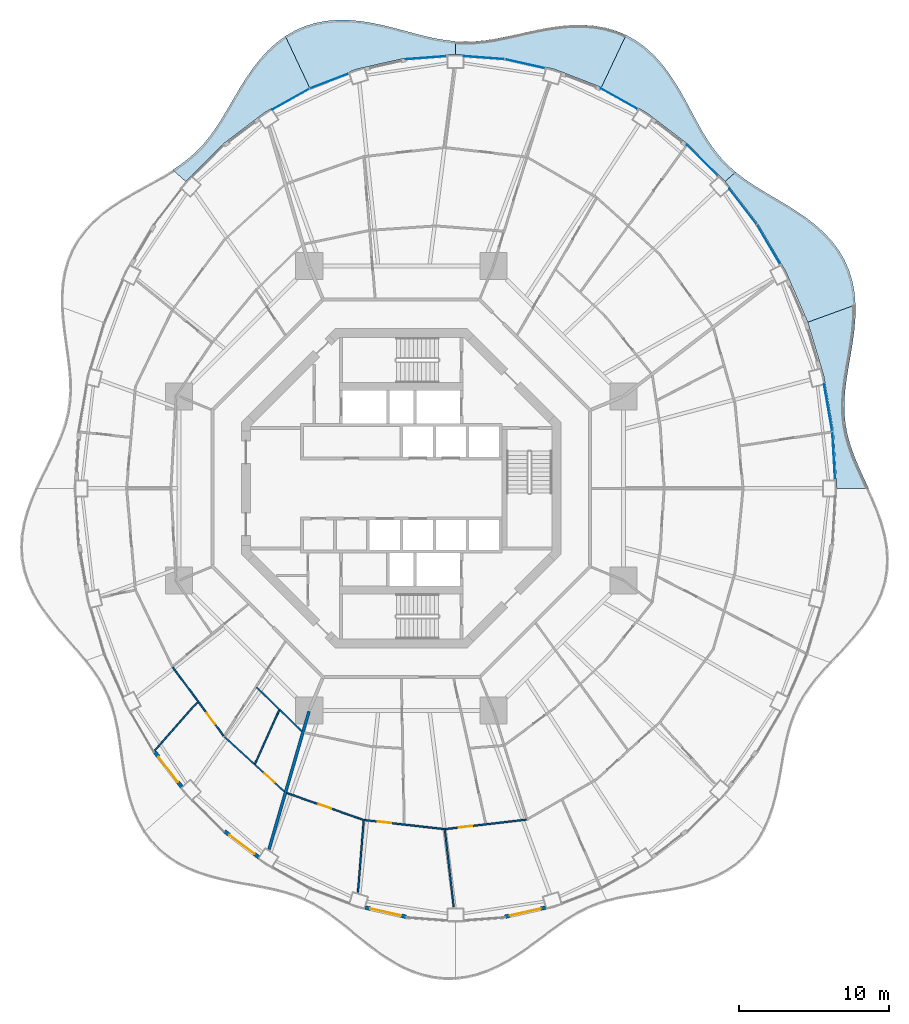
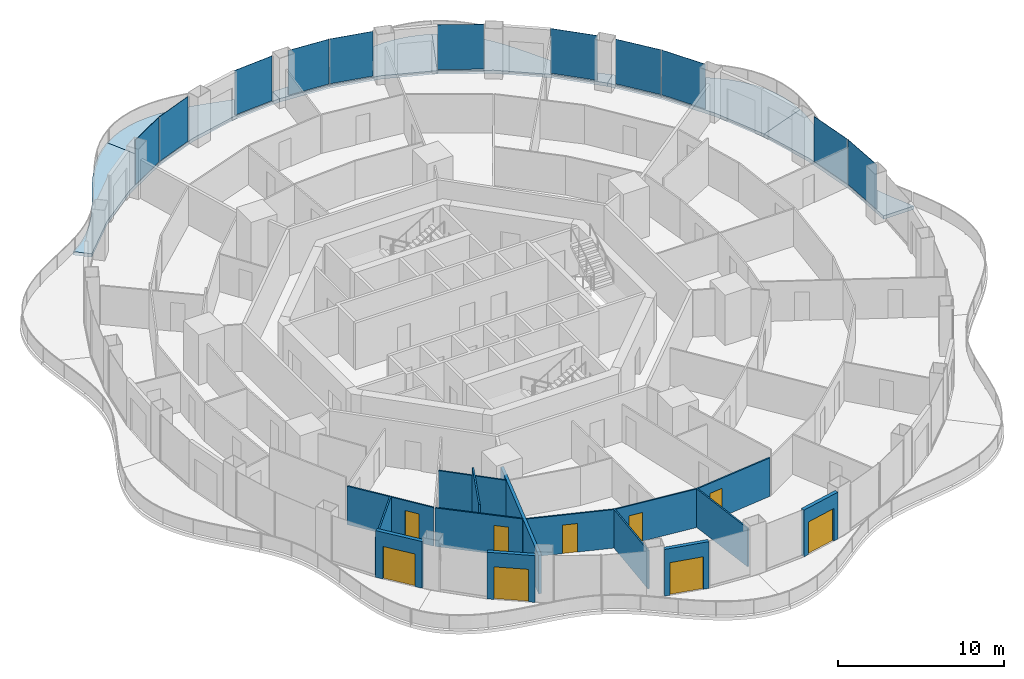
# One storey, part 10 of 19: 15 walls, 11 plates, 9 doors, 6 slabs, 9 openings, 11 elements without a shape of their own.
"""IFC4 building model written with IfcOpenShell, lengths in metres."""

import ifcopenshell
import ifcopenshell.guid

model = None  # the IFC model being written
_history = None  # IfcOwnerHistory: only IFC2X3 demands one
_inside = {}  # id of a spatial element -> (the spatial element, [elements in it])
_under = {}  # id of a project, library or spatial element -> (it, [spatial elements below it])
_declared = {}  # id of a project -> (the project, [libraries it declares])
_typed = {}  # id of a type object -> (the type object, [elements of that type])
_made_of = {}  # id of a material, layer set ... -> (it, [elements and type objects made of it])


def new_model(schema):
    """Start an empty IFC model of exactly this schema.

    Asked for "IFC4X3", IfcOpenShell would pick the latest addendum, in which some entities
    have other attributes; the version numbers below select the first issue.
    IFC2X3 requires an IfcOwnerHistory on every rooted entity: one is made here for all.
    """
    global model, _history
    if schema == "IFC4X3":
        model = ifcopenshell.file(schema_version=(4, 3, 0, 0))
    else:
        model = ifcopenshell.file(schema=schema)
    _inside.clear()
    _under.clear()
    _declared.clear()
    _typed.clear()
    _made_of.clear()
    _history = None
    if model.schema == "IFC2X3":
        org = make("IfcOrganization", Name="unknown")
        user = make(
            "IfcPersonAndOrganization",
            ThePerson=make("IfcPerson", FamilyName="unknown"),
            TheOrganization=org,
        )
        app = make(
            "IfcApplication",
            ApplicationDeveloper=org,
            Version="unknown",
            ApplicationFullName="unknown",
            ApplicationIdentifier="unknown",
        )
        _history = make(
            "IfcOwnerHistory",
            OwningUser=user,
            OwningApplication=app,
            ChangeAction="ADDED",
            CreationDate=0,
        )
    return model


def make(cls, **values):
    """One entity of the class cls with the attributes given. An attribute that is None is left unset."""
    return model.create_entity(
        cls, **{name: value for name, value in values.items() if value is not None}
    )


def rooted(cls, **values):
    """An entity with a GlobalId (a new one), such as an element, a storey or a relation."""
    return make(cls, GlobalId=ifcopenshell.guid.new(), OwnerHistory=_history, **values)


def si_unit(unit_type, name, prefix=None):
    """IfcSIUnit, for example si_unit("LENGTHUNIT", "METRE", prefix="MILLI")."""
    return make("IfcSIUnit", UnitType=unit_type, Prefix=prefix, Name=name)


def assignment(units):
    """IfcUnitAssignment: the units of a project."""
    return None if units is None else make("IfcUnitAssignment", Units=units)


def point(xyz):
    """IfcCartesianPoint."""
    return None if xyz is None else make("IfcCartesianPoint", Coordinates=xyz)


def direction(xyz):
    """IfcDirection."""
    return None if xyz is None else make("IfcDirection", DirectionRatios=xyz)


def frame(location, z_axis=None, x_axis=None):
    """IfcAxis2Placement3D, a coordinate frame: its origin and axes. An axis left out is left unset."""
    return make(
        "IfcAxis2Placement3D",
        Location=point(location),
        Axis=direction(z_axis),
        RefDirection=direction(x_axis),
    )


def frame_2d(location, x_axis=None):
    """IfcAxis2Placement2D, a coordinate frame in the plane: its origin and x axis."""
    return make(
        "IfcAxis2Placement2D", Location=point(location), RefDirection=direction(x_axis)
    )


def origin():
    """The frame at (0, 0, 0) with its axes left unset."""
    return frame((0.0, 0.0, 0.0))


def origin_2d():
    """The frame at (0, 0) in the plane with its x axis left unset."""
    return frame_2d((0.0, 0.0))


def place(relative_to, where):
    """IfcLocalPlacement: puts the frame where relative to a parent placement (None: the world)."""
    return make(
        "IfcLocalPlacement", PlacementRelTo=relative_to, RelativePlacement=where
    )


def context(
    kind, dimensions, precision=None, world=None, true_north=None, identifier=None
):
    """IfcGeometricRepresentationContext, for example the 3D "Model" context."""
    return make(
        "IfcGeometricRepresentationContext",
        ContextIdentifier=identifier,
        ContextType=kind,
        CoordinateSpaceDimension=dimensions,
        Precision=precision,
        WorldCoordinateSystem=world,
        TrueNorth=true_north,
    )


def subcontext(parent, identifier, kind, view, scale=None):
    """IfcGeometricRepresentationSubContext, for example "Body" below "Model"."""
    return make(
        "IfcGeometricRepresentationSubContext",
        ContextIdentifier=identifier,
        ContextType=kind,
        ParentContext=parent,
        TargetScale=scale,
        TargetView=view,
    )


def project(units=None, contexts=None):
    """IfcProject with its units and contexts."""
    return rooted(
        "IfcProject",
        Name="project",
        RepresentationContexts=contexts,
        UnitsInContext=assignment(units),
    )


def spatial(cls, under=None, at=None, **own):
    """A site, building, storey or space (cls), placed at a placement, below another one or the project."""
    s = rooted(cls, ObjectPlacement=at, **own)
    if under is not None:
        _under.setdefault(under.id(), (under, []))[1].append(s)
    return s


def polyline(points):
    """IfcPolyline through the points."""
    return make("IfcPolyline", Points=[point(p) for p in points])


def profile(cls, at=None, kind="AREA", **sizes):
    """A parametric profile (cls). Its sizes go by their IFC names, for example OverallWidth=200.0."""
    return make(cls, ProfileType=kind, Position=at, **sizes)


def rectangle(**sizes):
    """IfcRectangleProfileDef."""
    return profile("IfcRectangleProfileDef", **sizes)


def outline(outer, holes=None, kind="AREA"):
    """IfcArbitraryClosedProfileDef: a profile drawn as a closed curve; with holes, ...WithVoids."""
    if holes is None:
        return make("IfcArbitraryClosedProfileDef", ProfileType=kind, OuterCurve=outer)
    return make(
        "IfcArbitraryProfileDefWithVoids",
        ProfileType=kind,
        OuterCurve=outer,
        InnerCurves=holes,
    )


def extrude(swept, where, along, depth):
    """IfcExtrudedAreaSolid: the profile swept, set in the frame where, extruded along a direction by depth."""
    return make(
        "IfcExtrudedAreaSolid",
        SweptArea=swept,
        Position=where,
        ExtrudedDirection=direction(along),
        Depth=depth,
    )


def shape(context_of_items, identifier, shape_type, items):
    """IfcShapeRepresentation: the items that make up one representation, for example the "Body"."""
    return make(
        "IfcShapeRepresentation",
        ContextOfItems=context_of_items,
        RepresentationIdentifier=identifier,
        RepresentationType=shape_type,
        Items=items,
    )


def material(Name=None, Category=None):
    """IfcMaterial."""
    return make("IfcMaterial", Name=Name, Category=Category)


def layer(
    of_material, thickness, ventilated=None, Name=None, Category=None, Priority=None
):
    """IfcMaterialLayer: one layer of a wall or slab, of a material (None: an air gap)."""
    return make(
        "IfcMaterialLayer",
        Material=of_material,
        LayerThickness=thickness,
        IsVentilated=ventilated,
        Name=Name,
        Category=Category,
        Priority=Priority,
    )


def layer_set(layers, Name=None):
    """IfcMaterialLayerSet."""
    return make("IfcMaterialLayerSet", MaterialLayers=layers, LayerSetName=Name)


def made_of(thing, what):
    """Note that an element or type object is made of a material, layer set ...; save() writes the relation."""
    if what is not None:
        _made_of.setdefault(what.id(), (what, []))[1].append(thing)
    return thing


def type_object(cls, material=None, **own):
    """A type object (cls), such as IfcWallType, which elements share."""
    return made_of(rooted(cls, **own), material)


def element(
    cls,
    number,
    at=None,
    inside=None,
    cuts=None,
    type_object=None,
    material=None,
    context=None,
    identifier="Body",
    shape_type=None,
    held_by="IfcProductDefinitionShape",
    body=None,
    shapes=None,
    **own,
):
    """One element of the class cls, such as IfcWall. Its Tag is "e" and its number.

    at: its placement. inside: the storey or other place that contains it. cuts: it is an
    opening in that element (IfcRelVoidsElement). A single representation is given by context,
    identifier, shape_type and body (its items); several are given by shapes. held_by: the class
    of the entity that holds the representations. save() writes the other relations.
    """
    e = rooted(cls, Tag="e%d" % number, ObjectPlacement=at, **own)
    if body is not None:
        shapes = [shape(context, identifier, shape_type, body)]
    if shapes is not None:
        e.Representation = make(held_by, Representations=shapes)
    if inside is not None:
        _inside.setdefault(inside.id(), (inside, []))[1].append(e)
    if cuts is not None:
        rooted(
            "IfcRelVoidsElement", RelatingBuildingElement=cuts, RelatedOpeningElement=e
        )
    if type_object is not None:
        _typed.setdefault(type_object.id(), (type_object, []))[1].append(e)
    return made_of(e, material)


def fill(opening, filler):
    """IfcRelFillsElement: the door or window that sits in an opening."""
    return rooted(
        "IfcRelFillsElement",
        RelatingOpeningElement=opening,
        RelatedBuildingElement=filler,
    )


def aggregate(whole, parts):
    """IfcRelAggregates: a whole, such as a stair, and the parts it consists of."""
    return rooted("IfcRelAggregates", RelatingObject=whole, RelatedObjects=parts)


def save(model, path):
    """Write the relations noted so far, then the file.

    IfcRelAggregates (storeys below a building ...), IfcRelContainedInSpatialStructure (elements
    in a storey), IfcRelDefinesByType, IfcRelAssociatesMaterial and IfcRelDeclares: one each for
    every whole, place, type object, material and project.
    """
    for whole, parts in _under.values():
        aggregate(whole, parts)
    for where, things in _inside.values():
        rooted(
            "IfcRelContainedInSpatialStructure",
            RelatedElements=things,
            RelatingStructure=where,
        )
    for kind, things in _typed.values():
        rooted("IfcRelDefinesByType", RelatedObjects=things, RelatingType=kind)
    for what, things in _made_of.values():
        rooted("IfcRelAssociatesMaterial", RelatedObjects=things, RelatingMaterial=what)
    for by, libraries in _declared.values():
        rooted("IfcRelDeclares", RelatingContext=by, RelatedDefinitions=libraries)
    model.write(path)


model = new_model("IFC4")

# Units and contexts
model_context = context("Model", 3, precision=1e-05, world=origin(), true_north=direction((0.0, 1.0)))
body_context = subcontext(model_context, "Body", "Model", "MODEL_VIEW")
ifc_project = project(units=[si_unit("LENGTHUNIT", "METRE"), si_unit("AREAUNIT", "SQUARE_METRE"), si_unit("VOLUMEUNIT", "CUBIC_METRE"), si_unit("PLANEANGLEUNIT", "RADIAN"), si_unit("MASSUNIT", "GRAM", prefix="KILO")], contexts=[model_context])

# Site, building, storey
site_placement = place(None, origin())
site = spatial("IfcSite", under=ifc_project, at=site_placement, CompositionType="ELEMENT")
building_placement = place(site_placement, origin())
building = spatial("IfcBuilding", under=site, at=building_placement, Name="Nagisa Residences", CompositionType="ELEMENT")
storey_placement = place(building_placement, frame((0.0, 0.0, 199.199951171875)))
storey = spatial("IfcBuildingStorey", under=building, at=storey_placement, Name="L50", CompositionType="ELEMENT", Elevation=199.199951171875)

# Slabs
ifc_material_1 = material(Name="Concrete C40/50", Category="concrete")
ifc_layer_1 = layer(ifc_material_1, 0.25)
ifc_layer_set_1 = layer_set([ifc_layer_1], Name="BALCONY SLAB 250")
slab_type = type_object("IfcSlabType", Name="BALCONY SLAB 250", PredefinedType="FLOOR", material=ifc_layer_set_1)
slab_1_placement = place(storey_placement, frame((0.0, 0.0, -0.25)))
element("IfcSlab", 1, at=slab_1_placement, inside=storey, type_object=slab_type, Name="slab:L50:bal00", PredefinedType="FLOOR", context=body_context, shape_type="SweptSolid", body=[
    extrude(outline(polyline([(31.09033203125, 0.0), (30.745849609375, 0.74267578125), (30.416748046875, 1.47216796875), (30.119873046875, 2.190673828125), (29.869384765625, 2.902587890625), (29.676025390625, 3.612548828125), (29.546142578125, 4.32568359375), (29.4814453125, 5.047119140625), (29.479248046875, 5.781494140625), (29.532470703125, 6.5322265625), (29.6298828125, 7.301513671875), (29.7568359375, 8.08984375), (29.896728515625, 8.89599609375), (30.031005859375, 9.71630859375), (30.140380859375, 10.545654296875), (30.207275390625, 11.377685546875), (30.215087890625, 12.204345703125), (27.04345703125, 11.050048828125), (28.1103515625, 7.473388671875), (28.7578125, 3.76904296875), (28.97509765625, 0.0), (31.09033203125, 0.0)])), origin(), (0.0, 0.0, 1.0), 0.25),
])
slab_2_placement = place(storey_placement, frame((0.0, 0.0, -0.25)))
element("IfcSlab", 2, at=slab_2_placement, inside=storey, type_object=slab_type, Name="slab:L50:bal01", PredefinedType="FLOOR", context=body_context, shape_type="SweptSolid", body=[
    extrude(outline(polyline([(30.215087890625, 12.204345703125), (30.153076171875, 12.992431640625), (30.012939453125, 13.759521484375), (29.7890625, 14.498046875), (29.47900390625, 15.20166015625), (29.084716796875, 15.864990234375), (28.611572265625, 16.484619140625), (28.06787109375, 17.059326171875), (27.4658203125, 17.58984375), (26.818603515625, 18.079833984375), (26.1416015625, 18.53466796875), (25.4501953125, 18.9619140625), (24.75927734375, 19.370849609375), (24.082763671875, 19.77197265625), (23.432861328125, 20.176025390625), (22.818115234375, 20.59375), (22.245361328125, 21.034912109375), (21.542724609375, 20.417724609375), (23.7314453125, 17.577880859375), (25.575439453125, 14.4375), (27.04345703125, 11.050048828125), (30.215087890625, 12.204345703125)])), origin(), (0.0, 0.0, 1.0), 0.25),
])
slab_3_placement = place(storey_placement, frame((0.0, 0.0, -0.25)))
element("IfcSlab", 3, at=slab_3_placement, inside=storey, type_object=slab_type, Name="slab:L50:bal02", PredefinedType="FLOOR", context=body_context, shape_type="SweptSolid", body=[
    extrude(outline(polyline([(22.245361328125, 21.034912109375), (21.74072265625, 21.4853515625), (21.276123046875, 21.97021484375), (20.848388671875, 22.4931640625), (20.451904296875, 23.05517578125), (20.07958984375, 23.654296875), (19.7216796875, 24.28662109375), (19.3681640625, 24.945068359375), (19.008544921875, 25.620361328125), (18.63232421875, 26.301513671875), (18.23046875, 26.97607421875), (17.794189453125, 27.630615234375), (17.317138671875, 28.25146484375), (16.79541015625, 28.82568359375), (16.226806640625, 29.34130859375), (15.611328125, 29.788330078125), (14.951904296875, 30.158935546875), (13.310546875, 26.677001953125), (16.28759765625, 25.006591796875), (19.04736328125, 22.907958984375), (21.542724609375, 20.417724609375), (22.245361328125, 21.034912109375)])), origin(), (0.0, 0.0, 1.0), 0.25),
])
slab_4_placement = place(storey_placement, frame((0.0, 0.0, -0.25)))
element("IfcSlab", 4, at=slab_4_placement, inside=storey, type_object=slab_type, Name="slab:L50:bal03", PredefinedType="FLOOR", context=body_context, shape_type="SweptSolid", body=[
    extrude(outline(polyline([(14.951904296875, 30.158935546875), (14.278564453125, 30.439697265625), (13.573974609375, 30.6435546875), (12.8447265625, 30.771728515625), (12.097900390625, 30.82861328125), (11.3408203125, 30.82080078125), (10.580810546875, 30.7578125), (9.824462890625, 30.650390625), (9.076904296875, 30.511474609375), (8.342529296875, 30.354248046875), (7.623779296875, 30.192138671875), (6.921875, 30.03857421875), (6.236328125, 29.9052734375), (5.56494140625, 29.802490234375), (4.904541015625, 29.73828125), (4.251220703125, 29.7177734375), (3.60009765625, 29.743408203125), (3.60009765625, 28.875), (6.912109375, 28.6279296875), (10.16748046875, 27.89111328125), (13.310546875, 26.677001953125), (14.951904296875, 30.158935546875)])), origin(), (0.0, 0.0, 1.0), 0.25),
])
slab_5_placement = place(storey_placement, frame((0.0, 0.0, -0.25)))
element("IfcSlab", 5, at=slab_5_placement, inside=storey, type_object=slab_type, Name="slab:L50:bal04", PredefinedType="FLOOR", context=body_context, shape_type="SweptSolid", body=[
    extrude(outline(polyline([(3.60009765625, 29.743408203125), (2.946044921875, 29.814697265625), (2.28466796875, 29.927490234375), (1.612060546875, 30.07568359375), (0.9248046875, 30.25), (0.221435546875, 30.439208984375), (-0.498291015625, 30.630859375), (-1.233154296875, 30.8115234375), (-1.98046875, 30.967041015625), (-2.73583984375, 31.084716796875), (-3.49365234375, 31.15185546875), (-4.24755859375, 31.158447265625), (-4.990478515625, 31.095703125), (-5.715087890625, 30.958251953125), (-6.41455078125, 30.74267578125), (-7.082763671875, 30.449462890625), (-7.71484375, 30.080810546875), (-6.110595703125, 26.677001953125), (-2.967529296875, 27.89111328125), (0.287841796875, 28.6279296875), (3.60009765625, 28.875), (3.60009765625, 29.743408203125)])), origin(), (0.0, 0.0, 1.0), 0.25),
])
slab_6_placement = place(storey_placement, frame((0.0, 0.0, -0.25)))
element("IfcSlab", 6, at=slab_6_placement, inside=storey, type_object=slab_type, Name="slab:L50:bal05", PredefinedType="FLOOR", context=body_context, shape_type="SweptSolid", body=[
    extrude(outline(polyline([(-7.71484375, 30.080810546875), (-8.328857421875, 29.624755859375), (-8.89794921875, 29.102294921875), (-9.422607421875, 28.524658203125), (-9.9052734375, 27.904541015625), (-10.350830078125, 27.255126953125), (-10.76611328125, 26.590576171875), (-11.1591796875, 25.924560546875), (-11.539794921875, 25.268798828125), (-11.918212890625, 24.634521484375), (-12.30419921875, 24.030029296875), (-12.70751953125, 23.46142578125), (-13.13671875, 22.93212890625), (-13.5986328125, 22.442626953125), (-14.09765625, 21.9912109375), (-14.635986328125, 21.5732421875), (-15.212890625, 21.182373046875), (-14.3427734375, 20.417724609375), (-11.847412109375, 22.907958984375), (-9.08740234375, 25.006591796875), (-6.110595703125, 26.677001953125), (-7.71484375, 30.080810546875)])), origin(), (0.0, 0.0, 1.0), 0.25),
])

# Curtain wall, plate
ifc_material_2 = material(Name="Concrete-coloured aluminium curtain wall system", Category="concrete")
ifc_layer_2 = layer(ifc_material_2, 0.159912109375)
ifc_layer_set_2 = layer_set([ifc_layer_2], Name="CW1 CURTAIN WALL")
curtain_wall_type = type_object("IfcCurtainWallType", Name="CW1 CURTAIN WALL", PredefinedType="NOTDEFINED", material=ifc_layer_set_2)
curtain_wall_1_placement = place(storey_placement, origin())
curtain_wall_1 = element("IfcCurtainWall", 7, at=curtain_wall_1_placement, inside=storey, type_object=curtain_wall_type, Name="cw:CW1:L50:00", PredefinedType="NOTDEFINED")
ifc_material_3 = material(Name="Clear laminated glass", Category="glass")
ifc_layer_3 = layer(ifc_material_3, 0.028076171875)
ifc_layer_set_3 = layer_set([ifc_layer_3], Name="CW1 GLASS PANEL")
plate_type = type_object("IfcPlateType", Name="CW1 GLASS PANEL", PredefinedType="CURTAIN_PANEL", material=ifc_layer_set_3)
plate_1_placement = place(storey_placement, frame((28.76904296875, 2.184326171875, 0.150146484375), z_axis=(0.0, 0.0, 1.0), x_axis=(-0.057503492216, 0.998345305184, 0.0)))
plate_1 = element("IfcPlate", 8, at=plate_1_placement, type_object=plate_type, Name="CW1 panel", PredefinedType="CURTAIN_PANEL", context=body_context, shape_type="SweptSolid", body=[
    extrude(rectangle(XDim=3.165283203125, YDim=0.028076171875, at=origin_2d()), origin(), (0.0, 0.0, 1.0), 3.2900390625),
])
aggregate(curtain_wall_1, [plate_1])

curtain_wall_2_placement = place(storey_placement, origin())
curtain_wall_2 = element("IfcCurtainWall", 9, at=curtain_wall_2_placement, inside=storey, type_object=curtain_wall_type, Name="cw:CW1:L50:01", PredefinedType="NOTDEFINED")
plate_2_placement = place(storey_placement, frame((28.3974609375, 5.365966796875, 0.150146484375), z_axis=(0.0, 0.0, 1.0), x_axis=(-0.172190868898, 0.985063604377, 0.0)))
plate_2 = element("IfcPlate", 10, at=plate_2_placement, type_object=plate_type, Name="CW1 panel", PredefinedType="CURTAIN_PANEL", context=body_context, shape_type="SweptSolid", body=[
    extrude(rectangle(XDim=3.150634765625, YDim=0.028076171875, at=origin_2d()), origin(), (0.0, 0.0, 1.0), 3.2900390625),
])
aggregate(curtain_wall_2, [plate_2])

curtain_wall_3_placement = place(storey_placement, origin())
curtain_wall_3 = element("IfcCurtainWall", 11, at=curtain_wall_3_placement, inside=storey, type_object=curtain_wall_type, Name="cw:CW1:L50:04", PredefinedType="NOTDEFINED")
plate_3_placement = place(storey_placement, frame((24.429931640625, 16.230224609375, 0.150146484375), z_axis=(0.0, 0.0, 1.0), x_axis=(-0.506348567002, 0.862328898214, 0.0)))
plate_3 = element("IfcPlate", 12, at=plate_3_placement, type_object=plate_type, Name="CW1 panel", PredefinedType="CURTAIN_PANEL", context=body_context, shape_type="SweptSolid", body=[
    extrude(rectangle(XDim=3.031982421875, YDim=0.028076171875, at=origin_2d()), origin(), (0.0, 0.0, 1.0), 3.2900390625),
])
aggregate(curtain_wall_3, [plate_3])

curtain_wall_4_placement = place(storey_placement, origin())
curtain_wall_4 = element("IfcCurtainWall", 13, at=curtain_wall_4_placement, inside=storey, type_object=curtain_wall_type, Name="cw:CW1:L50:05", PredefinedType="NOTDEFINED")
plate_4_placement = place(storey_placement, frame((22.723388671875, 18.7548828125, 0.150146484375), z_axis=(0.0, 0.0, 1.0), x_axis=(-0.610429828235, 0.792070340816, 0.0)))
plate_4 = element("IfcPlate", 14, at=plate_4_placement, type_object=plate_type, Name="CW1 panel", PredefinedType="CURTAIN_PANEL", context=body_context, shape_type="SweptSolid", body=[
    extrude(rectangle(XDim=2.97509765625, YDim=0.028076171875, at=origin_2d()), origin(), (0.0, 0.0, 1.0), 3.2900390625),
])
aggregate(curtain_wall_4, [plate_4])

curtain_wall_5_placement = place(storey_placement, origin())
curtain_wall_5 = element("IfcCurtainWall", 15, at=curtain_wall_5_placement, inside=storey, type_object=curtain_wall_type, Name="cw:CW1:L50:06", PredefinedType="NOTDEFINED")
plate_5_placement = place(storey_placement, frame((20.022705078125, 21.82177734375, 0.150146484375), z_axis=(0.0, 0.0, 1.0), x_axis=(-0.707835924016, 0.706376885714, 0.0)))
plate_5 = element("IfcPlate", 16, at=plate_5_placement, type_object=plate_type, Name="CW1 panel", PredefinedType="CURTAIN_PANEL", context=body_context, shape_type="SweptSolid", body=[
    extrude(rectangle(XDim=2.91552734375, YDim=0.028076171875, at=origin_2d()), origin(), (0.0, 0.0, 1.0), 3.2900390625),
])
aggregate(curtain_wall_5, [plate_5])

curtain_wall_6_placement = place(storey_placement, origin())
curtain_wall_6 = element("IfcCurtainWall", 17, at=curtain_wall_6_placement, inside=storey, type_object=curtain_wall_type, Name="cw:CW1:L50:08", PredefinedType="NOTDEFINED")
plate_6_placement = place(storey_placement, frame((14.493896484375, 25.921142578125, 0.150146484375), z_axis=(0.0, 0.0, 1.0), x_axis=(-0.872072377523, 0.489376918501, 0.0)))
plate_6 = element("IfcPlate", 18, at=plate_6_placement, type_object=plate_type, Name="CW1 panel", PredefinedType="CURTAIN_PANEL", context=body_context, shape_type="SweptSolid", body=[
    extrude(rectangle(XDim=2.8037109375, YDim=0.028076171875, at=origin_2d()), origin(), (0.0, 0.0, 1.0), 3.2900390625),
])
aggregate(curtain_wall_6, [plate_6])

curtain_wall_7_placement = place(storey_placement, origin())
curtain_wall_7 = element("IfcCurtainWall", 19, at=curtain_wall_7_placement, inside=storey, type_object=curtain_wall_type, Name="cw:CW1:L50:10", PredefinedType="NOTDEFINED")
plate_7_placement = place(storey_placement, frame((8.224609375, 28.248779296875, 0.150146484375), z_axis=(0.0, 0.0, 1.0), x_axis=(-0.975327274089, 0.2207639201, 0.0)))
plate_7 = element("IfcPlate", 20, at=plate_7_placement, type_object=plate_type, Name="CW1 panel", PredefinedType="CURTAIN_PANEL", context=body_context, shape_type="SweptSolid", body=[
    extrude(rectangle(XDim=2.727783203125, YDim=0.028076171875, at=origin_2d()), origin(), (0.0, 0.0, 1.0), 3.2900390625),
])
aggregate(curtain_wall_7, [plate_7])

curtain_wall_8_placement = place(storey_placement, origin())
curtain_wall_8 = element("IfcCurtainWall", 21, at=curtain_wall_8_placement, inside=storey, type_object=curtain_wall_type, Name="cw:CW1:L50:11", PredefinedType="NOTDEFINED")
plate_8_placement = place(storey_placement, frame((5.494384765625, 28.653564453125, 0.150146484375), z_axis=(0.0, 0.0, 1.0), x_axis=(-0.997230168512, 0.074377355493, 0.0)))
plate_8 = element("IfcPlate", 22, at=plate_8_placement, type_object=plate_type, Name="CW1 panel", PredefinedType="CURTAIN_PANEL", context=body_context, shape_type="SweptSolid", body=[
    extrude(rectangle(XDim=2.711181640625, YDim=0.028076171875, at=origin_2d()), origin(), (0.0, 0.0, 1.0), 3.2900390625),
])
aggregate(curtain_wall_8, [plate_8])

curtain_wall_9_placement = place(storey_placement, origin())
curtain_wall_9 = element("IfcCurtainWall", 23, at=curtain_wall_9_placement, inside=storey, type_object=curtain_wall_type, Name="cw:CW1:L50:12", PredefinedType="NOTDEFINED")
plate_9_placement = place(storey_placement, frame((1.645751953125, 28.64892578125, 0.150146484375), z_axis=(0.0, 0.0, 1.0), x_axis=(-0.997230168512, -0.074377355493, 0.0)))
plate_9 = element("IfcPlate", 24, at=plate_9_placement, type_object=plate_type, Name="CW1 panel", PredefinedType="CURTAIN_PANEL", context=body_context, shape_type="SweptSolid", body=[
    extrude(rectangle(XDim=2.711181640625, YDim=0.028076171875, at=origin_2d()), origin(), (0.0, 0.0, 1.0), 3.2900390625),
])
aggregate(curtain_wall_9, [plate_9])

curtain_wall_10_placement = place(storey_placement, origin())
curtain_wall_10 = element("IfcCurtainWall", 25, at=curtain_wall_10_placement, inside=storey, type_object=curtain_wall_type, Name="cw:CW1:L50:14", PredefinedType="NOTDEFINED")
plate_10_placement = place(storey_placement, frame((-4.794677734375, 27.099609375, 0.150146484375), z_axis=(0.0, 0.0, 1.0), x_axis=(-0.932825759707, -0.360327770268, 0.0)))
plate_10 = element("IfcPlate", 26, at=plate_10_placement, type_object=plate_type, Name="CW1 panel", PredefinedType="CURTAIN_PANEL", context=body_context, shape_type="SweptSolid", body=[
    extrude(rectangle(XDim=2.75927734375, YDim=0.028076171875, at=origin_2d()), origin(), (0.0, 0.0, 1.0), 3.2900390625),
])
aggregate(curtain_wall_10, [plate_10])

curtain_wall_11_placement = place(storey_placement, origin())
curtain_wall_11 = element("IfcCurtainWall", 27, at=curtain_wall_11_placement, inside=storey, type_object=curtain_wall_type, Name="cw:CW1:L50:15", PredefinedType="NOTDEFINED")
plate_11_placement = place(storey_placement, frame((-7.34619140625, 25.891845703125, 0.150146484375), z_axis=(0.0, 0.0, 1.0), x_axis=(-0.872072377523, -0.489376918501, 0.0)))
plate_11 = element("IfcPlate", 28, at=plate_11_placement, type_object=plate_type, Name="CW1 panel", PredefinedType="CURTAIN_PANEL", context=body_context, shape_type="SweptSolid", body=[
    extrude(rectangle(XDim=2.8037109375, YDim=0.028076171875, at=origin_2d()), origin(), (0.0, 0.0, 1.0), 3.2900390625),
])
aggregate(curtain_wall_11, [plate_11])

# Wall
ifc_material_4 = material(Name="Gypsum board on steel studs", Category="steel")
ifc_layer_4 = layer(ifc_material_4, 0.199951171875)
ifc_layer_set_4 = layer_set([ifc_layer_4], Name="Apartment compartment wall EI60 200")
wall_type_1 = type_object("IfcWallType", Name="Apartment compartment wall EI60 200", PredefinedType="PARTITIONING", material=ifc_layer_set_4)
wall_1_placement = place(storey_placement, frame((-6.136962890625, -14.830078125, 0.0), z_axis=(0.0, 0.0, 1.0), x_axis=(-0.278461169897, -0.96044748782, 0.0)))
element("IfcWall", 29, at=wall_1_placement, inside=storey, type_object=wall_type_1, Name="wall:L50:u05", PredefinedType="PARTITIONING", context=body_context, shape_type="SweptSolid", body=[
    extrude(rectangle(XDim=9.5732421875, YDim=0.199951171875, at=frame_2d((4.78662109375, 0.0))), origin(), (0.0, 0.0, 1.0), 2.837158203125),
])

# Wall, opening, door
ifc_material_5 = material(Name="Gypsum board on steel studs", Category="steel")
ifc_layer_5 = layer(ifc_material_5, 0.10009765625)
ifc_layer_set_5 = layer_set([ifc_layer_5], Name="Apartment partition 100")
wall_type_2 = type_object("IfcWallType", Name="Apartment partition 100", PredefinedType="PARTITIONING", material=ifc_layer_set_5)
wall_2_placement = place(storey_placement, frame((-15.205322265625, -11.9013671875, 0.0), z_axis=(0.0, 0.0, 1.0), x_axis=(0.594704483906, -0.803944386647, 0.0)))
wall_2 = element("IfcWall", 30, at=wall_2_placement, inside=storey, type_object=wall_type_2, Name="wall:L50:u60", PredefinedType="PARTITIONING", context=body_context, shape_type="SweptSolid", body=[
    extrude(rectangle(XDim=5.671875, YDim=0.10009765625, at=frame_2d((2.8359375, 0.0))), origin(), (0.0, 0.0, 1.0), 2.837158203125),
])
opening_1_placement = place(wall_2_placement, frame((3.8037109375, 0.0, 0.0)))
opening_1 = element("IfcOpeningElement", 31, at=opening_1_placement, cuts=wall_2, Name="Opening L50-U41", PredefinedType="OPENING", context=body_context, shape_type="SweptSolid", body=[
    extrude(rectangle(XDim=0.89990234375, YDim=2.10009765625, at=frame_2d((0.449951171875, 1.050048828125))), frame((0.0, 0.06005859375, 0.0), z_axis=(0.0, -1.0, 0.0), x_axis=(1.0, 0.0, 0.0)), (0.0, 0.0, 1.0), 0.1201171875),
])
ifc_material_6 = material(Name="Timber door set", Category="wood")
door_type_1 = type_object("IfcDoorType", Name="Apartment door 900x2100", OperationType="NOTDEFINED", PredefinedType="DOOR", material=ifc_material_6)
door_1_placement = place(opening_1_placement, frame((0.89990234375, 0.0, 0.0), x_axis=(-1.0, 0.0, 0.0)))
door_1 = element("IfcDoor", 32, at=door_1_placement, inside=storey, type_object=door_type_1, Name="Door to master bedroom, Apartment 50C", OperationType="SINGLE_SWING_RIGHT", OverallHeight=2.10009765625, OverallWidth=0.89990234375, PredefinedType="DOOR", context=body_context, shape_type="SweptSolid", body=[
    extrude(rectangle(XDim=0.89990234375, YDim=2.10009765625, at=frame_2d((0.449951171875, 1.050048828125))), frame((0.0, 0.02490234375, 0.0), z_axis=(0.0, -1.0, 0.0), x_axis=(1.0, 0.0, 0.0)), (0.0, 0.0, 1.0), 0.050048828125),
])
fill(opening_1, door_1)

# Walls
wall_3_placement = place(storey_placement, frame((-13.552001953125, -14.21875, 0.0), z_axis=(0.0, 0.0, 1.0), x_axis=(-0.663542794709, -0.748138329181, 0.0)))
element("IfcWall", 33, at=wall_3_placement, inside=storey, type_object=wall_type_2, Name="wall:L50:u61", PredefinedType="PARTITIONING", context=body_context, shape_type="SweptSolid", body=[
    extrude(rectangle(XDim=4.4501953125, YDim=0.10009765625, at=frame_2d((2.22509765625, 0.0))), origin(), (0.0, 0.0, 1.0), 2.905029296875),
])
wall_4_placement = place(storey_placement, frame((-9.62744140625, -13.238037109375, 0.0), z_axis=(0.0, 0.0, 1.0), x_axis=(0.716919058692, -0.697156412352, 0.0)))
element("IfcWall", 34, at=wall_4_placement, inside=storey, type_object=wall_type_2, Name="wall:L50:u63", PredefinedType="PARTITIONING", context=body_context, shape_type="SweptSolid", body=[
    extrude(rectangle(XDim=4.2001953125, YDim=0.10009765625, at=frame_2d((2.10009765625, 0.0))), origin(), (0.0, 0.0, 1.0), 2.837158203125),
])

# Wall, opening, door
wall_5_placement = place(storey_placement, frame((-11.765625, -16.534912109375, 0.0), z_axis=(0.0, 0.0, 1.0), x_axis=(0.73807320557, -0.674720640872, 0.0)))
wall_5 = element("IfcWall", 35, at=wall_5_placement, inside=storey, type_object=wall_type_2, Name="wall:L50:u64", PredefinedType="PARTITIONING", context=body_context, shape_type="SweptSolid", body=[
    extrude(rectangle(XDim=5.39892578125, YDim=0.10009765625, at=frame_2d((2.699462890625, 0.0))), origin(), (0.0, 0.0, 1.0), 2.837158203125),
])
opening_2_placement = place(wall_5_placement, frame((3.61181640625, 0.0, 0.0)))
opening_2 = element("IfcOpeningElement", 36, at=opening_2_placement, cuts=wall_5, Name="Opening L50-U44", PredefinedType="OPENING", context=body_context, shape_type="SweptSolid", body=[
    extrude(rectangle(XDim=0.89990234375, YDim=2.10009765625, at=frame_2d((0.449951171875, 1.050048828125))), frame((0.0, 0.06005859375, 0.0), z_axis=(0.0, -1.0, 0.0), x_axis=(1.0, 0.0, 0.0)), (0.0, 0.0, 1.0), 0.1201171875),
])
door_2_placement = place(opening_2_placement, origin())
door_2 = element("IfcDoor", 37, at=door_2_placement, inside=storey, type_object=door_type_1, Name="Door to en-suite bathroom, Apartment 50C", OperationType="SINGLE_SWING_RIGHT", OverallHeight=2.10009765625, OverallWidth=0.89990234375, PredefinedType="DOOR", context=body_context, shape_type="SweptSolid", body=[
    extrude(rectangle(XDim=0.89990234375, YDim=2.10009765625, at=frame_2d((0.449951171875, 1.050048828125))), frame((0.0, 0.02490234375, 0.0), z_axis=(0.0, -1.0, 0.0), x_axis=(1.0, 0.0, 0.0)), (0.0, 0.0, 1.0), 0.050048828125),
])
fill(opening_2, door_2)

# Wall
wall_6_placement = place(storey_placement, frame((-8.12451171875, -14.76513671875, 0.0), z_axis=(0.0, 0.0, 1.0), x_axis=(-0.411745679848, -0.911298795745, 0.0)))
element("IfcWall", 38, at=wall_6_placement, inside=storey, type_object=wall_type_2, Name="wall:L50:u65", PredefinedType="PARTITIONING", context=body_context, shape_type="SweptSolid", body=[
    extrude(rectangle(XDim=3.9091796875, YDim=0.10009765625, at=frame_2d((1.95458984375, 0.0))), origin(), (0.0, 0.0, 1.0), 3.43994140625),
])

# Wall, opening, door
wall_7_placement = place(storey_placement, frame((-7.612548828125, -20.2783203125, 0.0), z_axis=(0.0, 0.0, 1.0), x_axis=(0.94391294884, -0.330194404878, 0.0)))
wall_7 = element("IfcWall", 39, at=wall_7_placement, inside=storey, type_object=wall_type_2, Name="wall:L50:u67", PredefinedType="PARTITIONING", context=body_context, shape_type="SweptSolid", body=[
    extrude(rectangle(XDim=5.3671875, YDim=0.10009765625, at=frame_2d((2.68359375, 0.0))), origin(), (0.0, 0.0, 1.0), 2.837158203125),
])
opening_3_placement = place(wall_7_placement, frame((2.233642578125, 0.0, 0.0)))
opening_3 = element("IfcOpeningElement", 40, at=opening_3_placement, cuts=wall_7, Name="Opening L50-U06", PredefinedType="OPENING", context=body_context, shape_type="SweptSolid", body=[
    extrude(rectangle(XDim=0.89990234375, YDim=2.10009765625, at=frame_2d((0.449951171875, 1.050048828125))), frame((0.0, 0.06005859375, 0.0), z_axis=(0.0, -1.0, 0.0), x_axis=(1.0, 0.0, 0.0)), (0.0, 0.0, 1.0), 0.1201171875),
])
door_3_placement = place(opening_3_placement, frame((0.89990234375, 0.0, 0.0), x_axis=(-1.0, 0.0, 0.0)))
door_3 = element("IfcDoor", 41, at=door_3_placement, inside=storey, type_object=door_type_1, Name="Door to master bedroom, Apartment 50A", OperationType="SINGLE_SWING_LEFT", OverallHeight=2.10009765625, OverallWidth=0.89990234375, PredefinedType="DOOR", context=body_context, shape_type="SweptSolid", body=[
    extrude(rectangle(XDim=0.89990234375, YDim=2.10009765625, at=frame_2d((0.449951171875, 1.050048828125))), frame((0.0, 0.02490234375, 0.0), z_axis=(0.0, -1.0, 0.0), x_axis=(1.0, 0.0, 0.0)), (0.0, 0.0, 1.0), 0.050048828125),
])
fill(opening_3, door_3)

# Wall
wall_8_placement = place(storey_placement, frame((-2.4951171875, -22.017333984375, 0.0), z_axis=(0.0, 0.0, 1.0), x_axis=(-0.080150660566, -0.99678276049, 0.0)))
element("IfcWall", 42, at=wall_8_placement, inside=storey, type_object=wall_type_2, Name="wall:L50:u69", PredefinedType="PARTITIONING", context=body_context, shape_type="SweptSolid", body=[
    extrude(rectangle(XDim=4.8583984375, YDim=0.10009765625, at=frame_2d((2.42919921875, 0.0))), origin(), (0.0, 0.0, 1.0), 2.837158203125),
])

# Wall, opening, door
wall_9_placement = place(storey_placement, frame((-2.449462890625, -22.07275390625, 0.0), z_axis=(0.0, 0.0, 1.0), x_axis=(0.993660315081, -0.112424099879, 0.0)))
wall_9 = element("IfcWall", 43, at=wall_9_placement, inside=storey, type_object=wall_type_2, Name="wall:L50:u70", PredefinedType="PARTITIONING", context=body_context, shape_type="SweptSolid", body=[
    extrude(rectangle(XDim=5.32470703125, YDim=0.10009765625, at=frame_2d((2.662353515625, 0.0))), origin(), (0.0, 0.0, 1.0), 2.837158203125),
])
opening_4_placement = place(wall_9_placement, frame((0.881103515625, 0.0, 0.0)))
opening_4 = element("IfcOpeningElement", 44, at=opening_4_placement, cuts=wall_9, Name="Opening L50-U07", PredefinedType="OPENING", context=body_context, shape_type="SweptSolid", body=[
    extrude(rectangle(XDim=0.89990234375, YDim=2.10009765625, at=frame_2d((0.449951171875, 1.050048828125))), frame((0.0, 0.06005859375, 0.0), z_axis=(0.0, -1.0, 0.0), x_axis=(1.0, 0.0, 0.0)), (0.0, 0.0, 1.0), 0.1201171875),
])
door_4_placement = place(opening_4_placement, frame((0.89990234375, 0.0, 0.0), x_axis=(-1.0, 0.0, 0.0)))
door_4 = element("IfcDoor", 45, at=door_4_placement, inside=storey, type_object=door_type_1, Name="Door to bedroom, Apartment 50A", OperationType="SINGLE_SWING_RIGHT", OverallHeight=2.10009765625, OverallWidth=0.89990234375, PredefinedType="DOOR", context=body_context, shape_type="SweptSolid", body=[
    extrude(rectangle(XDim=0.89990234375, YDim=2.10009765625, at=frame_2d((0.449951171875, 1.050048828125))), frame((0.0, 0.02490234375, 0.0), z_axis=(0.0, -1.0, 0.0), x_axis=(1.0, 0.0, 0.0)), (0.0, 0.0, 1.0), 0.050048828125),
])
fill(opening_4, door_4)

# Wall
wall_10_placement = place(storey_placement, frame((2.885498046875, -22.62744140625, 0.0), z_axis=(0.0, 0.0, 1.0), x_axis=(0.113634556485, -0.993522615531, 0.0)))
element("IfcWall", 46, at=wall_10_placement, inside=storey, type_object=wall_type_2, Name="wall:L50:u72", PredefinedType="PARTITIONING", context=body_context, shape_type="SweptSolid", body=[
    extrude(rectangle(XDim=5.244384765625, YDim=0.10009765625, at=frame_2d((2.6220703125, 0.0))), origin(), (0.0, 0.0, 1.0), 2.837158203125),
])

# Wall, opening, door
wall_11_placement = place(storey_placement, frame((2.94091796875, -22.67138671875, 0.0), z_axis=(0.0, 0.0, 1.0), x_axis=(0.993245806382, 0.1160291692, 0.0)))
wall_11 = element("IfcWall", 47, at=wall_11_placement, inside=storey, type_object=wall_type_2, Name="wall:L50:u73", PredefinedType="PARTITIONING", context=body_context, shape_type="SweptSolid", body=[
    extrude(rectangle(XDim=5.40771484375, YDim=0.10009765625, at=frame_2d((2.703857421875, 0.0))), origin(), (0.0, 0.0, 1.0), 2.837158203125),
])
opening_5_placement = place(wall_11_placement, frame((0.90185546875, 0.0, 0.0)))
opening_5 = element("IfcOpeningElement", 48, at=opening_5_placement, cuts=wall_11, Name="Opening L50-U08", PredefinedType="OPENING", context=body_context, shape_type="SweptSolid", body=[
    extrude(rectangle(XDim=0.89990234375, YDim=2.10009765625, at=frame_2d((0.449951171875, 1.050048828125))), frame((0.0, 0.06005859375, 0.0), z_axis=(0.0, -1.0, 0.0), x_axis=(1.0, 0.0, 0.0)), (0.0, 0.0, 1.0), 0.1201171875),
])
door_5_placement = place(opening_5_placement, frame((0.89990234375, 0.0, 0.0), x_axis=(-1.0, 0.0, 0.0)))
door_5 = element("IfcDoor", 49, at=door_5_placement, inside=storey, type_object=door_type_1, Name="Door to family room, Apartment 50A", OperationType="SINGLE_SWING_LEFT", OverallHeight=2.10009765625, OverallWidth=0.89990234375, PredefinedType="DOOR", context=body_context, shape_type="SweptSolid", body=[
    extrude(rectangle(XDim=0.89990234375, YDim=2.10009765625, at=frame_2d((0.449951171875, 1.050048828125))), frame((0.0, 0.02490234375, 0.0), z_axis=(0.0, -1.0, 0.0), x_axis=(1.0, 0.0, 0.0)), (0.0, 0.0, 1.0), 0.050048828125),
])
fill(opening_5, door_5)

ifc_material_7 = material(Name="Precast concrete C40/50", Category="concrete")
ifc_layer_6 = layer(ifc_material_7, 0.25)
ifc_layer_set_6 = layer_set([ifc_layer_6], Name="BALCONY DOOR WALL 250")
wall_type_3 = type_object("IfcWallType", Name="BALCONY DOOR WALL 250", PredefinedType="SOLIDWALL", material=ifc_layer_set_6)
wall_12_placement = place(storey_placement, frame((-14.57958984375, -19.90576171875, 0.0), z_axis=(0.0, 0.0, 1.0), x_axis=(-0.610437428894, 0.79206448311, 0.0)))
wall_12 = element("IfcWall", 50, at=wall_12_placement, inside=storey, type_object=wall_type_3, Name="wall:L50:bay29", PredefinedType="SOLIDWALL", context=body_context, shape_type="SweptSolid", body=[
    extrude(rectangle(XDim=3.03515625, YDim=0.25, at=frame_2d((1.517578125, 0.0))), origin(), (0.0, 0.0, 1.0), 3.43994140625),
])
opening_6_placement = place(wall_12_placement, frame((0.467529296875, 0.0, 0.0)))
opening_6 = element("IfcOpeningElement", 51, at=opening_6_placement, cuts=wall_12, Name="Opening BD-L50-10", PredefinedType="OPENING", context=body_context, shape_type="SweptSolid", body=[
    extrude(rectangle(XDim=2.10009765625, YDim=2.39990234375, at=frame_2d((1.050048828125, 1.199951171875))), frame((0.0, 0.135009765625, 0.0), z_axis=(0.0, -1.0, 0.0), x_axis=(1.0, 0.0, 0.0)), (0.0, 0.0, 1.0), 0.27001953125),
])
ifc_material_8 = material(Name="Aluminium and clear glass", Category="aluminium")
door_type_2 = type_object("IfcDoorType", Name="BALCONY SLIDING DOOR 2100x2400", OperationType="SLIDING_TO_LEFT", PredefinedType="DOOR", material=ifc_material_8)
door_6_placement = place(opening_6_placement, origin())
door_6 = element("IfcDoor", 52, at=door_6_placement, inside=storey, type_object=door_type_2, Name="door:L50:bay29", OperationType="SLIDING_TO_LEFT", OverallHeight=2.39990234375, OverallWidth=2.10009765625, PredefinedType="DOOR", context=body_context, shape_type="SweptSolid", body=[
    extrude(rectangle(XDim=2.10009765625, YDim=2.39990234375, at=frame_2d((1.050048828125, 1.199951171875))), frame((0.0, 0.02490234375, 0.0), z_axis=(0.0, -1.0, 0.0), x_axis=(1.0, 0.0, 0.0)), (0.0, 0.0, 1.0), 0.050048828125),
])
fill(opening_6, door_6)

wall_13_placement = place(storey_placement, frame((-9.44970703125, -24.573974609375, 0.0), z_axis=(0.0, 0.0, 1.0), x_axis=(-0.796055733703, 0.60522332146, 0.0)))
wall_13 = element("IfcWall", 53, at=wall_13_placement, inside=storey, type_object=wall_type_3, Name="wall:L50:bay31", PredefinedType="SOLIDWALL", context=body_context, shape_type="SweptSolid", body=[
    extrude(rectangle(XDim=2.9169921875, YDim=0.25, at=frame_2d((1.45849609375, 0.0))), origin(), (0.0, 0.0, 1.0), 3.43994140625),
])
opening_7_placement = place(wall_13_placement, frame((0.408447265625, 0.0, 0.0)))
opening_7 = element("IfcOpeningElement", 54, at=opening_7_placement, cuts=wall_13, Name="Opening BD-L50-11", PredefinedType="OPENING", context=body_context, shape_type="SweptSolid", body=[
    extrude(rectangle(XDim=2.10009765625, YDim=2.39990234375, at=frame_2d((1.050048828125, 1.199951171875))), frame((0.0, 0.135009765625, 0.0), z_axis=(0.0, -1.0, 0.0), x_axis=(1.0, 0.0, 0.0)), (0.0, 0.0, 1.0), 0.27001953125),
])
door_7_placement = place(opening_7_placement, origin())
door_7 = element("IfcDoor", 55, at=door_7_placement, inside=storey, type_object=door_type_2, Name="door:L50:bay31", OperationType="SLIDING_TO_LEFT", OverallHeight=2.39990234375, OverallWidth=2.10009765625, PredefinedType="DOOR", context=body_context, shape_type="SweptSolid", body=[
    extrude(rectangle(XDim=2.10009765625, YDim=2.39990234375, at=frame_2d((1.050048828125, 1.199951171875))), frame((0.0, 0.02490234375, 0.0), z_axis=(0.0, -1.0, 0.0), x_axis=(1.0, 0.0, 0.0)), (0.0, 0.0, 1.0), 0.050048828125),
])
fill(opening_7, door_7)

wall_14_placement = place(storey_placement, frame((0.3154296875, -28.506103515625, 0.0), z_axis=(0.0, 0.0, 1.0), x_axis=(-0.975324329911, 0.220776926974, 0.0)))
wall_14 = element("IfcWall", 56, at=wall_14_placement, inside=storey, type_object=wall_type_3, Name="wall:L50:bay34", PredefinedType="SOLIDWALL", context=body_context, shape_type="SweptSolid", body=[
    extrude(rectangle(XDim=2.787841796875, YDim=0.25, at=frame_2d((1.39404296875, 0.0))), origin(), (0.0, 0.0, 1.0), 3.43994140625),
])
opening_8_placement = place(wall_14_placement, frame((0.343994140625, 0.0, 0.0)))
opening_8 = element("IfcOpeningElement", 57, at=opening_8_placement, cuts=wall_14, Name="Opening BD-L50-12", PredefinedType="OPENING", context=body_context, shape_type="SweptSolid", body=[
    extrude(rectangle(XDim=2.10009765625, YDim=2.39990234375, at=frame_2d((1.050048828125, 1.199951171875))), frame((0.0, 0.135009765625, 0.0), z_axis=(0.0, -1.0, 0.0), x_axis=(1.0, 0.0, 0.0)), (0.0, 0.0, 1.0), 0.27001953125),
])
door_8_placement = place(opening_8_placement, origin())
door_8 = element("IfcDoor", 58, at=door_8_placement, inside=storey, type_object=door_type_2, Name="door:L50:bay34", OperationType="SLIDING_TO_LEFT", OverallHeight=2.39990234375, OverallWidth=2.10009765625, PredefinedType="DOOR", context=body_context, shape_type="SweptSolid", body=[
    extrude(rectangle(XDim=2.10009765625, YDim=2.39990234375, at=frame_2d((1.050048828125, 1.199951171875))), frame((0.0, 0.02490234375, 0.0), z_axis=(0.0, -1.0, 0.0), x_axis=(1.0, 0.0, 0.0)), (0.0, 0.0, 1.0), 0.050048828125),
])
fill(opening_8, door_8)

wall_15_placement = place(storey_placement, frame((9.603515625, -27.890625, 0.0), z_axis=(0.0, 0.0, 1.0), x_axis=(-0.975324329911, -0.220776926974, 0.0)))
wall_15 = element("IfcWall", 59, at=wall_15_placement, inside=storey, type_object=wall_type_3, Name="wall:L50:bay37", PredefinedType="SOLIDWALL", context=body_context, shape_type="SweptSolid", body=[
    extrude(rectangle(XDim=2.787841796875, YDim=0.25, at=frame_2d((1.39404296875, 0.0))), origin(), (0.0, 0.0, 1.0), 3.43994140625),
])
opening_9_placement = place(wall_15_placement, frame((0.343994140625, 0.0, 0.0)))
opening_9 = element("IfcOpeningElement", 60, at=opening_9_placement, cuts=wall_15, Name="Opening BD-L50-13", PredefinedType="OPENING", context=body_context, shape_type="SweptSolid", body=[
    extrude(rectangle(XDim=2.10009765625, YDim=2.39990234375, at=frame_2d((1.050048828125, 1.199951171875))), frame((0.0, 0.135009765625, 0.0), z_axis=(0.0, -1.0, 0.0), x_axis=(1.0, 0.0, 0.0)), (0.0, 0.0, 1.0), 0.27001953125),
])
door_9_placement = place(opening_9_placement, origin())
door_9 = element("IfcDoor", 61, at=door_9_placement, inside=storey, type_object=door_type_2, Name="door:L50:bay37", OperationType="SLIDING_TO_LEFT", OverallHeight=2.39990234375, OverallWidth=2.10009765625, PredefinedType="DOOR", context=body_context, shape_type="SweptSolid", body=[
    extrude(rectangle(XDim=2.10009765625, YDim=2.39990234375, at=frame_2d((1.050048828125, 1.199951171875))), frame((0.0, 0.02490234375, 0.0), z_axis=(0.0, -1.0, 0.0), x_axis=(1.0, 0.0, 0.0)), (0.0, 0.0, 1.0), 0.050048828125),
])
fill(opening_9, door_9)

save(model, "model.ifc")
